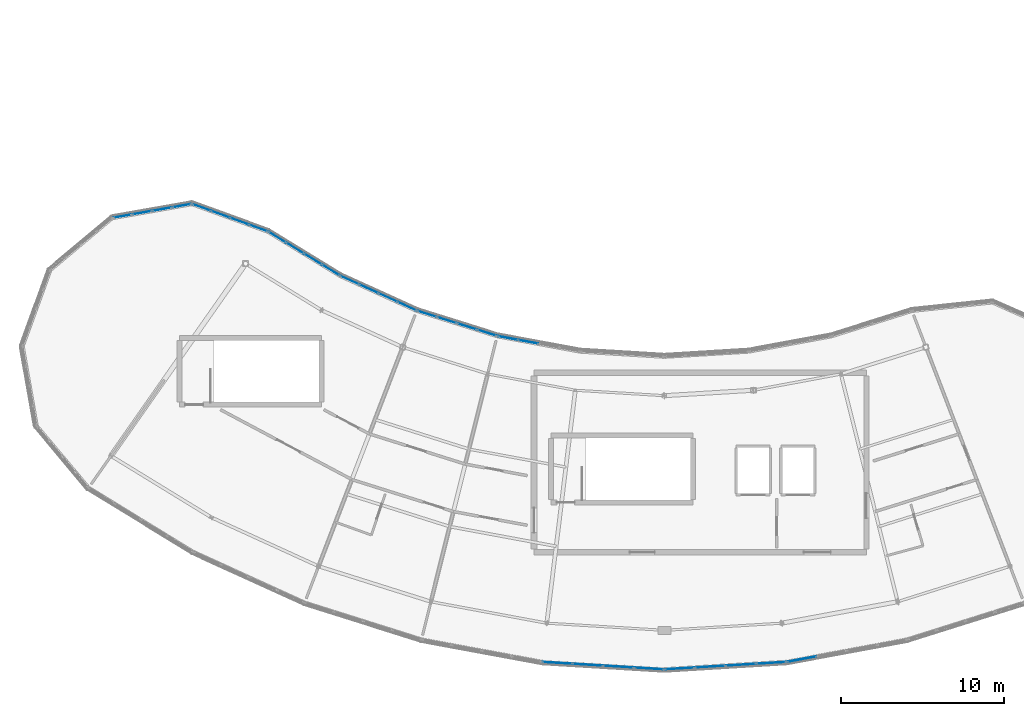
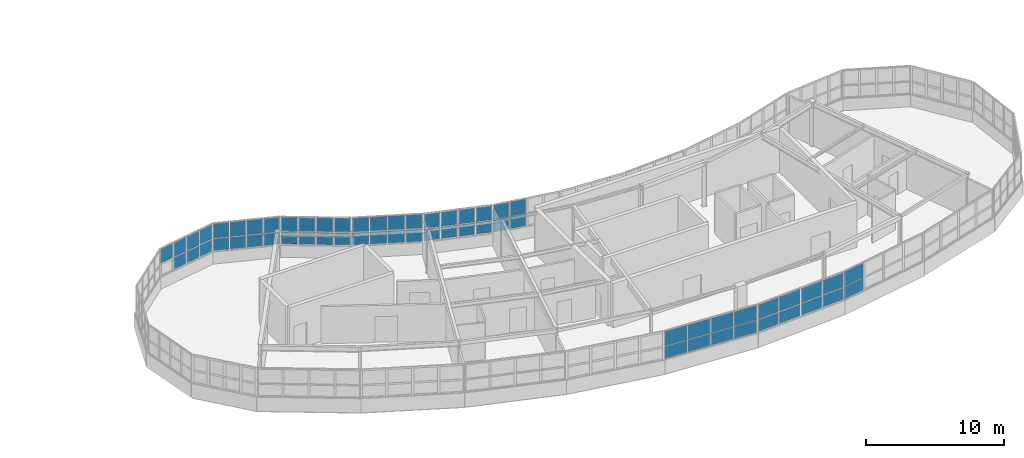
# One storey, part 38 of 60: 61 plates, 9 elements without a shape of their own.
"""IFC4 building model written with IfcOpenShell, lengths in metres."""

from ifc_helpers import new_model, si_unit, direction, frame, origin, origin_2d, place, context, subcontext, project, spatial, rectangle, extrude, material, layer, layer_set, type_object, element, aggregate, save


model = new_model("IFC4")

# Units and contexts
model_context = context("Model", 3, precision=1e-05, world=origin(), true_north=direction((0.0, 1.0)))
body_context = subcontext(model_context, "Body", "Model", "MODEL_VIEW")
ifc_project = project(units=[si_unit("LENGTHUNIT", "METRE"), si_unit("AREAUNIT", "SQUARE_METRE"), si_unit("VOLUMEUNIT", "CUBIC_METRE"), si_unit("PLANEANGLEUNIT", "RADIAN"), si_unit("MASSUNIT", "GRAM", prefix="KILO")], contexts=[model_context])

# Site, building, storey
site_placement = place(None, origin())
site = spatial("IfcSite", under=ifc_project, at=site_placement, CompositionType="ELEMENT")
building_placement = place(site_placement, origin())
building = spatial("IfcBuilding", under=site, at=building_placement, Name="Tarnwether General Hospital", CompositionType="ELEMENT")
storey_placement = place(building_placement, frame((0.0, 0.0, 26.10009765625)))
storey = spatial("IfcBuildingStorey", under=building, at=storey_placement, Name="L06", CompositionType="ELEMENT", Elevation=26.10009765625)

# Curtain wall, plates
ifc_material_1 = material(Name="Anodised aluminium", Category="aluminium")
ifc_layer_1 = layer(ifc_material_1, 0.179931640625)
ifc_layer_set_1 = layer_set([ifc_layer_1], Name="Anodised aluminium")
curtain_wall_type_1 = type_object("IfcCurtainWallType", Name="CW-11", PredefinedType="NOTDEFINED", material=ifc_layer_set_1)
curtain_wall_1_placement = place(storey_placement, origin())
curtain_wall_1 = element("IfcCurtainWall", 1, at=curtain_wall_1_placement, inside=storey, type_object=curtain_wall_type_1, Name="Curtain Wall CWG-L06-920_14-0249", PredefinedType="NOTDEFINED")
ifc_material_2 = material(Name="Double glazed low-E glass", Category="glass")
ifc_layer_2 = layer(ifc_material_2, 0.028076171875)
ifc_layer_set_2 = layer_set([ifc_layer_2], Name="Double glazed low-E glass")
plate_type_1 = type_object("IfcPlateType", Name="PT-CWP1", PredefinedType="CURTAIN_PANEL", material=ifc_layer_set_2)
plate_1_placement = place(storey_placement, frame((91.046630859375, 1.458251953125, 1.10986328125), z_axis=(0.0, 0.0, 1.0), x_axis=(-0.998135995608, 0.061028962567, 0.0)))
plate_1 = element("IfcPlate", 2, at=plate_1_placement, type_object=plate_type_1, Name="CW-11 panel 1.1", PredefinedType="CURTAIN_PANEL", context=body_context, shape_type="SweptSolid", body=[
    extrude(rectangle(XDim=1.790283203125, YDim=0.028076171875, at=origin_2d()), origin(), (0.0, 0.0, 1.0), 1.03271484375),
])
plate_2_placement = place(storey_placement, frame((91.046630859375, 1.458251953125, 2.20263671875), z_axis=(0.0, 0.0, 1.0), x_axis=(-0.998135995608, 0.061028962567, 0.0)))
plate_2 = element("IfcPlate", 3, at=plate_2_placement, type_object=plate_type_1, Name="CW-11 panel 1.2", PredefinedType="CURTAIN_PANEL", context=body_context, shape_type="SweptSolid", body=[
    extrude(rectangle(XDim=1.790283203125, YDim=0.028076171875, at=origin_2d()), origin(), (0.0, 0.0, 1.0), 1.2822265625),
])
plate_3_placement = place(storey_placement, frame((89.184814453125, 1.572021484375, 1.10986328125), z_axis=(0.0, 0.0, 1.0), x_axis=(-0.998135995608, 0.061028962567, 0.0)))
plate_3 = element("IfcPlate", 4, at=plate_3_placement, type_object=plate_type_1, Name="CW-11 panel 2.1", PredefinedType="CURTAIN_PANEL", context=body_context, shape_type="SweptSolid", body=[
    extrude(rectangle(XDim=1.8203125, YDim=0.028076171875, at=origin_2d()), origin(), (0.0, 0.0, 1.0), 1.03271484375),
])
plate_4_placement = place(storey_placement, frame((89.184814453125, 1.572021484375, 2.20263671875), z_axis=(0.0, 0.0, 1.0), x_axis=(-0.998135995608, 0.061028962567, 0.0)))
plate_4 = element("IfcPlate", 5, at=plate_4_placement, type_object=plate_type_1, Name="CW-11 panel 2.2", PredefinedType="CURTAIN_PANEL", context=body_context, shape_type="SweptSolid", body=[
    extrude(rectangle(XDim=1.8203125, YDim=0.028076171875, at=origin_2d()), origin(), (0.0, 0.0, 1.0), 1.2822265625),
])
plate_5_placement = place(storey_placement, frame((87.30810546875, 1.686767578125, 1.10986328125), z_axis=(0.0, 0.0, 1.0), x_axis=(-0.998135995608, 0.061028962567, 0.0)))
plate_5 = element("IfcPlate", 6, at=plate_5_placement, type_object=plate_type_1, Name="CW-11 panel 3.1", PredefinedType="CURTAIN_PANEL", context=body_context, shape_type="SweptSolid", body=[
    extrude(rectangle(XDim=1.8203125, YDim=0.028076171875, at=origin_2d()), origin(), (0.0, 0.0, 1.0), 1.03271484375),
])
plate_6_placement = place(storey_placement, frame((87.30810546875, 1.686767578125, 2.20263671875), z_axis=(0.0, 0.0, 1.0), x_axis=(-0.998135995608, 0.061028962567, 0.0)))
plate_6 = element("IfcPlate", 7, at=plate_6_placement, type_object=plate_type_1, Name="CW-11 panel 3.2", PredefinedType="CURTAIN_PANEL", context=body_context, shape_type="SweptSolid", body=[
    extrude(rectangle(XDim=1.8203125, YDim=0.028076171875, at=origin_2d()), origin(), (0.0, 0.0, 1.0), 1.2822265625),
])
plate_7_placement = place(storey_placement, frame((85.4462890625, 1.80078125, 1.10986328125), z_axis=(0.0, 0.0, 1.0), x_axis=(-0.998135995608, 0.061028962567, 0.0)))
plate_7 = element("IfcPlate", 8, at=plate_7_placement, type_object=plate_type_1, Name="CW-11 panel 4.1", PredefinedType="CURTAIN_PANEL", context=body_context, shape_type="SweptSolid", body=[
    extrude(rectangle(XDim=1.790283203125, YDim=0.028076171875, at=origin_2d()), origin(), (0.0, 0.0, 1.0), 1.03271484375),
])
plate_8_placement = place(storey_placement, frame((85.4462890625, 1.80078125, 2.20263671875), z_axis=(0.0, 0.0, 1.0), x_axis=(-0.998135995608, 0.061028962567, 0.0)))
plate_8 = element("IfcPlate", 9, at=plate_8_placement, type_object=plate_type_1, Name="CW-11 panel 4.2", PredefinedType="CURTAIN_PANEL", context=body_context, shape_type="SweptSolid", body=[
    extrude(rectangle(XDim=1.790283203125, YDim=0.028076171875, at=origin_2d()), origin(), (0.0, 0.0, 1.0), 1.2822265625),
])
aggregate(curtain_wall_1, [plate_1, plate_2, plate_3, plate_4, plate_5, plate_6, plate_7, plate_8])

curtain_wall_2_placement = place(storey_placement, origin())
curtain_wall_2 = element("IfcCurtainWall", 10, at=curtain_wall_2_placement, inside=storey, type_object=curtain_wall_type_1, Name="Curtain Wall CWG-L06-995_19-0250", PredefinedType="NOTDEFINED")
plate_9_placement = place(storey_placement, frame((98.55126953125, 1.800537109375, 1.1201171875), z_axis=(0.0, 0.0, 1.0), x_axis=(-0.998135995608, -0.061028962567, 0.0)))
plate_9 = element("IfcPlate", 11, at=plate_9_placement, type_object=plate_type_1, Name="CW-11 panel 1.1", PredefinedType="CURTAIN_PANEL", context=body_context, shape_type="SweptSolid", body=[
    extrude(rectangle(XDim=1.775146484375, YDim=0.028076171875, at=origin_2d()), origin(), (0.0, 0.0, 1.0), 1.017822265625),
])
plate_10_placement = place(storey_placement, frame((98.55126953125, 1.800537109375, 2.207763671875), z_axis=(0.0, 0.0, 1.0), x_axis=(-0.998135995608, -0.061028962567, 0.0)))
plate_10 = element("IfcPlate", 12, at=plate_10_placement, type_object=plate_type_1, Name="CW-11 panel 1.2", PredefinedType="CURTAIN_PANEL", context=body_context, shape_type="SweptSolid", body=[
    extrude(rectangle(XDim=1.775146484375, YDim=0.028076171875, at=origin_2d()), origin(), (0.0, 0.0, 1.0), 1.26708984375),
])
plate_11_placement = place(storey_placement, frame((96.69189453125, 1.686767578125, 1.1201171875), z_axis=(0.0, 0.0, 1.0), x_axis=(-0.998135995608, -0.061028962567, 0.0)))
plate_11 = element("IfcPlate", 13, at=plate_11_placement, type_object=plate_type_1, Name="CW-11 panel 2.1", PredefinedType="CURTAIN_PANEL", context=body_context, shape_type="SweptSolid", body=[
    extrude(rectangle(XDim=1.810302734375, YDim=0.028076171875, at=origin_2d()), origin(), (0.0, 0.0, 1.0), 1.017822265625),
])
plate_12_placement = place(storey_placement, frame((96.69189453125, 1.686767578125, 2.207763671875), z_axis=(0.0, 0.0, 1.0), x_axis=(-0.998135995608, -0.061028962567, 0.0)))
plate_12 = element("IfcPlate", 14, at=plate_12_placement, type_object=plate_type_1, Name="CW-11 panel 2.2", PredefinedType="CURTAIN_PANEL", context=body_context, shape_type="SweptSolid", body=[
    extrude(rectangle(XDim=1.810302734375, YDim=0.028076171875, at=origin_2d()), origin(), (0.0, 0.0, 1.0), 1.26708984375),
])
plate_13_placement = place(storey_placement, frame((94.815185546875, 1.572021484375, 1.1201171875), z_axis=(0.0, 0.0, 1.0), x_axis=(-0.998135995608, -0.061028962567, 0.0)))
plate_13 = element("IfcPlate", 15, at=plate_13_placement, type_object=plate_type_1, Name="CW-11 panel 3.1", PredefinedType="CURTAIN_PANEL", context=body_context, shape_type="SweptSolid", body=[
    extrude(rectangle(XDim=1.810302734375, YDim=0.028076171875, at=origin_2d()), origin(), (0.0, 0.0, 1.0), 1.017822265625),
])
plate_14_placement = place(storey_placement, frame((94.815185546875, 1.572021484375, 2.207763671875), z_axis=(0.0, 0.0, 1.0), x_axis=(-0.998135995608, -0.061028962567, 0.0)))
plate_14 = element("IfcPlate", 16, at=plate_14_placement, type_object=plate_type_1, Name="CW-11 panel 3.2", PredefinedType="CURTAIN_PANEL", context=body_context, shape_type="SweptSolid", body=[
    extrude(rectangle(XDim=1.810302734375, YDim=0.028076171875, at=origin_2d()), origin(), (0.0, 0.0, 1.0), 1.26708984375),
])
plate_15_placement = place(storey_placement, frame((92.955810546875, 1.45849609375, 1.1201171875), z_axis=(0.0, 0.0, 1.0), x_axis=(-0.998135995608, -0.061028962567, 0.0)))
plate_15 = element("IfcPlate", 17, at=plate_15_placement, type_object=plate_type_1, Name="CW-11 panel 4.1", PredefinedType="CURTAIN_PANEL", context=body_context, shape_type="SweptSolid", body=[
    extrude(rectangle(XDim=1.775146484375, YDim=0.028076171875, at=origin_2d()), origin(), (0.0, 0.0, 1.0), 1.017822265625),
])
plate_16_placement = place(storey_placement, frame((92.955810546875, 1.45849609375, 2.207763671875), z_axis=(0.0, 0.0, 1.0), x_axis=(-0.998135995608, -0.061028962567, 0.0)))
plate_16 = element("IfcPlate", 18, at=plate_16_placement, type_object=plate_type_1, Name="CW-11 panel 4.2", PredefinedType="CURTAIN_PANEL", context=body_context, shape_type="SweptSolid", body=[
    extrude(rectangle(XDim=1.775146484375, YDim=0.028076171875, at=origin_2d()), origin(), (0.0, 0.0, 1.0), 1.26708984375),
])
aggregate(curtain_wall_2, [plate_9, plate_10, plate_11, plate_12, plate_13, plate_14, plate_15, plate_16])

ifc_material_3 = material(Name="Anodised aluminium", Category="aluminium")
ifc_layer_3 = layer(ifc_material_3, 0.159912109375)
ifc_layer_set_3 = layer_set([ifc_layer_3], Name="Anodised aluminium")
curtain_wall_type_2 = type_object("IfcCurtainWallType", Name="CW-03", PredefinedType="NOTDEFINED", material=ifc_layer_set_3)
curtain_wall_3_placement = place(storey_placement, origin())
curtain_wall_3 = element("IfcCurtainWall", 19, at=curtain_wall_3_placement, inside=storey, type_object=curtain_wall_type_2, Name="Curtain Wall CWG-L06-768_234-0264", PredefinedType="NOTDEFINED")
plate_17_placement = place(storey_placement, frame((77.44140625, 23.21533203125, 1.1298828125), z_axis=(0.0, 0.0, 1.0), x_axis=(0.953713927508, -0.30071538783, 0.0)))
plate_17 = element("IfcPlate", 20, at=plate_17_placement, type_object=plate_type_1, Name="CW-03 panel 1.1", PredefinedType="CURTAIN_PANEL", context=body_context, shape_type="SweptSolid", body=[
    extrude(rectangle(XDim=1.17431640625, YDim=0.028076171875, at=origin_2d()), origin(), (0.0, 0.0, 1.0), 1.002685546875),
])
plate_18_placement = place(storey_placement, frame((77.44140625, 23.21533203125, 2.212890625), z_axis=(0.0, 0.0, 1.0), x_axis=(0.953713927508, -0.30071538783, 0.0)))
plate_18 = element("IfcPlate", 21, at=plate_18_placement, type_object=plate_type_1, Name="CW-03 panel 1.2", PredefinedType="CURTAIN_PANEL", context=body_context, shape_type="SweptSolid", body=[
    extrude(rectangle(XDim=1.17431640625, YDim=0.028076171875, at=origin_2d()), origin(), (0.0, 0.0, 1.0), 1.252197265625),
])
plate_19_placement = place(storey_placement, frame((78.65673828125, 22.83203125, 1.1298828125), z_axis=(0.0, 0.0, 1.0), x_axis=(0.953713927508, -0.30071538783, 0.0)))
plate_19 = element("IfcPlate", 22, at=plate_19_placement, type_object=plate_type_1, Name="CW-03 panel 2.1", PredefinedType="CURTAIN_PANEL", context=body_context, shape_type="SweptSolid", body=[
    extrude(rectangle(XDim=1.21435546875, YDim=0.028076171875, at=origin_2d()), origin(), (0.0, 0.0, 1.0), 1.002685546875),
])
plate_20_placement = place(storey_placement, frame((78.65673828125, 22.83203125, 2.212890625), z_axis=(0.0, 0.0, 1.0), x_axis=(0.953713927508, -0.30071538783, 0.0)))
plate_20 = element("IfcPlate", 23, at=plate_20_placement, type_object=plate_type_1, Name="CW-03 panel 2.2", PredefinedType="CURTAIN_PANEL", context=body_context, shape_type="SweptSolid", body=[
    extrude(rectangle(XDim=1.21435546875, YDim=0.028076171875, at=origin_2d()), origin(), (0.0, 0.0, 1.0), 1.252197265625),
])
plate_21_placement = place(storey_placement, frame((79.891357421875, 22.44287109375, 1.1298828125), z_axis=(0.0, 0.0, 1.0), x_axis=(0.953713927508, -0.30071538783, 0.0)))
plate_21 = element("IfcPlate", 24, at=plate_21_placement, type_object=plate_type_1, Name="CW-03 panel 3.1", PredefinedType="CURTAIN_PANEL", context=body_context, shape_type="SweptSolid", body=[
    extrude(rectangle(XDim=1.21435546875, YDim=0.028076171875, at=origin_2d()), origin(), (0.0, 0.0, 1.0), 1.002685546875),
])
plate_22_placement = place(storey_placement, frame((79.891357421875, 22.44287109375, 2.212890625), z_axis=(0.0, 0.0, 1.0), x_axis=(0.953713927508, -0.30071538783, 0.0)))
plate_22 = element("IfcPlate", 25, at=plate_22_placement, type_object=plate_type_1, Name="CW-03 panel 3.2", PredefinedType="CURTAIN_PANEL", context=body_context, shape_type="SweptSolid", body=[
    extrude(rectangle(XDim=1.21435546875, YDim=0.028076171875, at=origin_2d()), origin(), (0.0, 0.0, 1.0), 1.252197265625),
])
plate_23_placement = place(storey_placement, frame((81.106689453125, 22.0595703125, 1.1298828125), z_axis=(0.0, 0.0, 1.0), x_axis=(0.953713927508, -0.30071538783, 0.0)))
plate_23 = element("IfcPlate", 26, at=plate_23_placement, type_object=plate_type_1, Name="CW-03 panel 4.1", PredefinedType="CURTAIN_PANEL", context=body_context, shape_type="SweptSolid", body=[
    extrude(rectangle(XDim=1.17431640625, YDim=0.028076171875, at=origin_2d()), origin(), (0.0, 0.0, 1.0), 1.002685546875),
])
plate_24_placement = place(storey_placement, frame((81.106689453125, 22.0595703125, 2.212890625), z_axis=(0.0, 0.0, 1.0), x_axis=(0.953713927508, -0.30071538783, 0.0)))
plate_24 = element("IfcPlate", 27, at=plate_24_placement, type_object=plate_type_1, Name="CW-03 panel 4.2", PredefinedType="CURTAIN_PANEL", context=body_context, shape_type="SweptSolid", body=[
    extrude(rectangle(XDim=1.17431640625, YDim=0.028076171875, at=origin_2d()), origin(), (0.0, 0.0, 1.0), 1.252197265625),
])
aggregate(curtain_wall_3, [plate_17, plate_18, plate_19, plate_20, plate_21, plate_22, plate_23, plate_24])

curtain_wall_4_placement = place(storey_placement, origin())
curtain_wall_4 = element("IfcCurtainWall", 28, at=curtain_wall_4_placement, inside=storey, type_object=curtain_wall_type_2, Name="Curtain Wall CWG-L06-721_256-0265", PredefinedType="NOTDEFINED")
plate_25_placement = place(storey_placement, frame((72.696533203125, 25.288330078125, 1.10986328125), z_axis=(0.0, 0.0, 1.0), x_axis=(0.90995590549, -0.41470501572, 0.0)))
plate_25 = element("IfcPlate", 29, at=plate_25_placement, type_object=plate_type_1, Name="CW-03 panel 1.1", PredefinedType="CURTAIN_PANEL", context=body_context, shape_type="SweptSolid", body=[
    extrude(rectangle(XDim=1.204345703125, YDim=0.028076171875, at=origin_2d()), origin(), (0.0, 0.0, 1.0), 1.03271484375),
])
plate_26_placement = place(storey_placement, frame((72.696533203125, 25.288330078125, 2.20263671875), z_axis=(0.0, 0.0, 1.0), x_axis=(0.90995590549, -0.41470501572, 0.0)))
plate_26 = element("IfcPlate", 30, at=plate_26_placement, type_object=plate_type_1, Name="CW-03 panel 1.2", PredefinedType="CURTAIN_PANEL", context=body_context, shape_type="SweptSolid", body=[
    extrude(rectangle(XDim=1.204345703125, YDim=0.028076171875, at=origin_2d()), origin(), (0.0, 0.0, 1.0), 1.2822265625),
])
plate_27_placement = place(storey_placement, frame((73.860595703125, 24.7578125, 1.10986328125), z_axis=(0.0, 0.0, 1.0), x_axis=(0.90995590549, -0.41470501572, 0.0)))
plate_27 = element("IfcPlate", 31, at=plate_27_placement, type_object=plate_type_1, Name="CW-03 panel 2.1", PredefinedType="CURTAIN_PANEL", context=body_context, shape_type="SweptSolid", body=[
    extrude(rectangle(XDim=1.234375, YDim=0.028076171875, at=origin_2d()), origin(), (0.0, 0.0, 1.0), 1.03271484375),
])
plate_28_placement = place(storey_placement, frame((73.860595703125, 24.7578125, 2.20263671875), z_axis=(0.0, 0.0, 1.0), x_axis=(0.90995590549, -0.41470501572, 0.0)))
plate_28 = element("IfcPlate", 32, at=plate_28_placement, type_object=plate_type_1, Name="CW-03 panel 2.2", PredefinedType="CURTAIN_PANEL", context=body_context, shape_type="SweptSolid", body=[
    extrude(rectangle(XDim=1.234375, YDim=0.028076171875, at=origin_2d()), origin(), (0.0, 0.0, 1.0), 1.2822265625),
])
plate_29_placement = place(storey_placement, frame((75.038330078125, 24.22119140625, 1.10986328125), z_axis=(0.0, 0.0, 1.0), x_axis=(0.90995590549, -0.41470501572, 0.0)))
plate_29 = element("IfcPlate", 33, at=plate_29_placement, type_object=plate_type_1, Name="CW-03 panel 3.1", PredefinedType="CURTAIN_PANEL", context=body_context, shape_type="SweptSolid", body=[
    extrude(rectangle(XDim=1.234375, YDim=0.028076171875, at=origin_2d()), origin(), (0.0, 0.0, 1.0), 1.03271484375),
])
plate_30_placement = place(storey_placement, frame((75.038330078125, 24.22119140625, 2.20263671875), z_axis=(0.0, 0.0, 1.0), x_axis=(0.90995590549, -0.41470501572, 0.0)))
plate_30 = element("IfcPlate", 34, at=plate_30_placement, type_object=plate_type_1, Name="CW-03 panel 3.2", PredefinedType="CURTAIN_PANEL", context=body_context, shape_type="SweptSolid", body=[
    extrude(rectangle(XDim=1.234375, YDim=0.028076171875, at=origin_2d()), origin(), (0.0, 0.0, 1.0), 1.2822265625),
])
plate_31_placement = place(storey_placement, frame((76.202392578125, 23.690673828125, 1.10986328125), z_axis=(0.0, 0.0, 1.0), x_axis=(0.90995590549, -0.41470501572, 0.0)))
plate_31 = element("IfcPlate", 35, at=plate_31_placement, type_object=plate_type_1, Name="CW-03 panel 4.1", PredefinedType="CURTAIN_PANEL", context=body_context, shape_type="SweptSolid", body=[
    extrude(rectangle(XDim=1.204345703125, YDim=0.028076171875, at=origin_2d()), origin(), (0.0, 0.0, 1.0), 1.03271484375),
])
plate_32_placement = place(storey_placement, frame((76.202392578125, 23.690673828125, 2.20263671875), z_axis=(0.0, 0.0, 1.0), x_axis=(0.90995590549, -0.41470501572, 0.0)))
plate_32 = element("IfcPlate", 36, at=plate_32_placement, type_object=plate_type_1, Name="CW-03 panel 4.2", PredefinedType="CURTAIN_PANEL", context=body_context, shape_type="SweptSolid", body=[
    extrude(rectangle(XDim=1.204345703125, YDim=0.028076171875, at=origin_2d()), origin(), (0.0, 0.0, 1.0), 1.2822265625),
])
aggregate(curtain_wall_4, [plate_25, plate_26, plate_27, plate_28, plate_29, plate_30, plate_31, plate_32])

curtain_wall_5_placement = place(storey_placement, origin())
curtain_wall_5 = element("IfcCurtainWall", 37, at=curtain_wall_5_placement, inside=storey, type_object=curtain_wall_type_2, Name="Curtain Wall CWG-L06-630_300-0267", PredefinedType="NOTDEFINED")
plate_33_placement = place(storey_placement, frame((63.60986328125, 29.75, 1.11474609375), z_axis=(0.0, 0.0, 1.0), x_axis=(0.939652319163, -0.342130850834, 0.0)))
plate_33 = element("IfcPlate", 38, at=plate_33_placement, type_object=plate_type_1, Name="CW-03 panel 1.1", PredefinedType="CURTAIN_PANEL", context=body_context, shape_type="SweptSolid", body=[
    extrude(rectangle(XDim=1.144775390625, YDim=0.028076171875, at=origin_2d()), origin(), (0.0, 0.0, 1.0), 1.025390625),
])
plate_34_placement = place(storey_placement, frame((63.60986328125, 29.75, 2.205078125), z_axis=(0.0, 0.0, 1.0), x_axis=(0.939652319163, -0.342130850834, 0.0)))
plate_34 = element("IfcPlate", 39, at=plate_34_placement, type_object=plate_type_1, Name="CW-03 panel 1.2", PredefinedType="CURTAIN_PANEL", context=body_context, shape_type="SweptSolid", body=[
    extrude(rectangle(XDim=1.144775390625, YDim=0.028076171875, at=origin_2d()), origin(), (0.0, 0.0, 1.0), 1.274658203125),
])
plate_35_placement = place(storey_placement, frame((64.761962890625, 29.33056640625, 1.11474609375), z_axis=(0.0, 0.0, 1.0), x_axis=(0.939652319163, -0.342130850834, 0.0)))
plate_35 = element("IfcPlate", 40, at=plate_35_placement, type_object=plate_type_1, Name="CW-03 panel 2.1", PredefinedType="CURTAIN_PANEL", context=body_context, shape_type="SweptSolid", body=[
    extrude(rectangle(XDim=1.17724609375, YDim=0.028076171875, at=origin_2d()), origin(), (0.0, 0.0, 1.0), 1.025390625),
])
plate_36_placement = place(storey_placement, frame((64.761962890625, 29.33056640625, 2.205078125), z_axis=(0.0, 0.0, 1.0), x_axis=(0.939652319163, -0.342130850834, 0.0)))
plate_36 = element("IfcPlate", 41, at=plate_36_placement, type_object=plate_type_1, Name="CW-03 panel 2.2", PredefinedType="CURTAIN_PANEL", context=body_context, shape_type="SweptSolid", body=[
    extrude(rectangle(XDim=1.17724609375, YDim=0.028076171875, at=origin_2d()), origin(), (0.0, 0.0, 1.0), 1.274658203125),
])
plate_37_placement = place(storey_placement, frame((65.92919921875, 28.905517578125, 1.11474609375), z_axis=(0.0, 0.0, 1.0), x_axis=(0.939652319163, -0.342130850834, 0.0)))
plate_37 = element("IfcPlate", 42, at=plate_37_placement, type_object=plate_type_1, Name="CW-03 panel 3.1", PredefinedType="CURTAIN_PANEL", context=body_context, shape_type="SweptSolid", body=[
    extrude(rectangle(XDim=1.17724609375, YDim=0.028076171875, at=origin_2d()), origin(), (0.0, 0.0, 1.0), 1.025390625),
])
plate_38_placement = place(storey_placement, frame((65.92919921875, 28.905517578125, 2.205078125), z_axis=(0.0, 0.0, 1.0), x_axis=(0.939652319163, -0.342130850834, 0.0)))
plate_38 = element("IfcPlate", 43, at=plate_38_placement, type_object=plate_type_1, Name="CW-03 panel 3.2", PredefinedType="CURTAIN_PANEL", context=body_context, shape_type="SweptSolid", body=[
    extrude(rectangle(XDim=1.17724609375, YDim=0.028076171875, at=origin_2d()), origin(), (0.0, 0.0, 1.0), 1.274658203125),
])
plate_39_placement = place(storey_placement, frame((67.0810546875, 28.486083984375, 1.11474609375), z_axis=(0.0, 0.0, 1.0), x_axis=(0.939652319163, -0.342130850834, 0.0)))
plate_39 = element("IfcPlate", 44, at=plate_39_placement, type_object=plate_type_1, Name="CW-03 panel 4.1", PredefinedType="CURTAIN_PANEL", context=body_context, shape_type="SweptSolid", body=[
    extrude(rectangle(XDim=1.144775390625, YDim=0.028076171875, at=origin_2d()), origin(), (0.0, 0.0, 1.0), 1.025390625),
])
plate_40_placement = place(storey_placement, frame((67.0810546875, 28.486083984375, 2.205078125), z_axis=(0.0, 0.0, 1.0), x_axis=(0.939652319163, -0.342130850834, 0.0)))
plate_40 = element("IfcPlate", 45, at=plate_40_placement, type_object=plate_type_1, Name="CW-03 panel 4.2", PredefinedType="CURTAIN_PANEL", context=body_context, shape_type="SweptSolid", body=[
    extrude(rectangle(XDim=1.144775390625, YDim=0.028076171875, at=origin_2d()), origin(), (0.0, 0.0, 1.0), 1.274658203125),
])
aggregate(curtain_wall_5, [plate_33, plate_34, plate_35, plate_36, plate_37, plate_38, plate_39, plate_40])

curtain_wall_6_placement = place(storey_placement, origin())
curtain_wall_6 = element("IfcCurtainWall", 46, at=curtain_wall_6_placement, inside=storey, type_object=curtain_wall_type_2, Name="Curtain Wall CWG-L06-581_291-0268", PredefinedType="NOTDEFINED")
plate_41_placement = place(storey_placement, frame((58.74853515625, 29.21630859375, 2.212890625), z_axis=(0.0, 0.0, 1.0), x_axis=(0.984805834268, 0.173659059054, 0.0)))
plate_41 = element("IfcPlate", 47, at=plate_41_placement, type_object=plate_type_1, Name="CW-03 panel 1.2", PredefinedType="CURTAIN_PANEL", context=body_context, shape_type="SweptSolid", body=[
    extrude(rectangle(XDim=1.122314453125, YDim=0.028076171875, at=origin_2d()), origin(), (0.0, 0.0, 1.0), 1.252197265625),
])
plate_42_placement = place(storey_placement, frame((59.9521484375, 29.4287109375, 1.1298828125), z_axis=(0.0, 0.0, 1.0), x_axis=(0.984805834268, 0.173659059054, 0.0)))
plate_42 = element("IfcPlate", 48, at=plate_42_placement, type_object=plate_type_1, Name="CW-03 panel 2.1", PredefinedType="CURTAIN_PANEL", context=body_context, shape_type="SweptSolid", body=[
    extrude(rectangle(XDim=1.162353515625, YDim=0.028076171875, at=origin_2d()), origin(), (0.0, 0.0, 1.0), 1.002685546875),
])
plate_43_placement = place(storey_placement, frame((59.9521484375, 29.4287109375, 2.212890625), z_axis=(0.0, 0.0, 1.0), x_axis=(0.984805834268, 0.173659059054, 0.0)))
plate_43 = element("IfcPlate", 49, at=plate_43_placement, type_object=plate_type_1, Name="CW-03 panel 2.2", PredefinedType="CURTAIN_PANEL", context=body_context, shape_type="SweptSolid", body=[
    extrude(rectangle(XDim=1.162353515625, YDim=0.028076171875, at=origin_2d()), origin(), (0.0, 0.0, 1.0), 1.252197265625),
])
plate_44_placement = place(storey_placement, frame((61.17578125, 29.644287109375, 1.1298828125), z_axis=(0.0, 0.0, 1.0), x_axis=(0.984805834268, 0.173659059054, 0.0)))
plate_44 = element("IfcPlate", 50, at=plate_44_placement, type_object=plate_type_1, Name="CW-03 panel 3.1", PredefinedType="CURTAIN_PANEL", context=body_context, shape_type="SweptSolid", body=[
    extrude(rectangle(XDim=1.162353515625, YDim=0.028076171875, at=origin_2d()), origin(), (0.0, 0.0, 1.0), 1.002685546875),
])
plate_45_placement = place(storey_placement, frame((61.17578125, 29.644287109375, 2.212890625), z_axis=(0.0, 0.0, 1.0), x_axis=(0.984805834268, 0.173659059054, 0.0)))
plate_45 = element("IfcPlate", 51, at=plate_45_placement, type_object=plate_type_1, Name="CW-03 panel 3.2", PredefinedType="CURTAIN_PANEL", context=body_context, shape_type="SweptSolid", body=[
    extrude(rectangle(XDim=1.162353515625, YDim=0.028076171875, at=origin_2d()), origin(), (0.0, 0.0, 1.0), 1.252197265625),
])
plate_46_placement = place(storey_placement, frame((62.379638671875, 29.856689453125, 1.1298828125), z_axis=(0.0, 0.0, 1.0), x_axis=(0.984805834268, 0.173659059054, 0.0)))
plate_46 = element("IfcPlate", 52, at=plate_46_placement, type_object=plate_type_1, Name="CW-03 panel 4.1", PredefinedType="CURTAIN_PANEL", context=body_context, shape_type="SweptSolid", body=[
    extrude(rectangle(XDim=1.122314453125, YDim=0.028076171875, at=origin_2d()), origin(), (0.0, 0.0, 1.0), 1.002685546875),
])
plate_47_placement = place(storey_placement, frame((62.379638671875, 29.856689453125, 2.212890625), z_axis=(0.0, 0.0, 1.0), x_axis=(0.984805834268, 0.173659059054, 0.0)))
plate_47 = element("IfcPlate", 53, at=plate_47_placement, type_object=plate_type_1, Name="CW-03 panel 4.2", PredefinedType="CURTAIN_PANEL", context=body_context, shape_type="SweptSolid", body=[
    extrude(rectangle(XDim=1.122314453125, YDim=0.028076171875, at=origin_2d()), origin(), (0.0, 0.0, 1.0), 1.252197265625),
])
aggregate(curtain_wall_6, [plate_41, plate_42, plate_43, plate_44, plate_45, plate_46, plate_47])

curtain_wall_7_placement = place(storey_placement, origin())
curtain_wall_7 = element("IfcCurtainWall", 54, at=curtain_wall_7_placement, inside=storey, type_object=curtain_wall_type_1, Name="Curtain Wall CWG-L06-1069_32-0251", PredefinedType="NOTDEFINED")
ifc_material_4 = material(Name="Double glazed low-E glass", Category="glass")
ifc_layer_4 = layer(ifc_material_4, 0.035888671875)
ifc_layer_set_4 = layer_set([ifc_layer_4], Name="Double glazed low-E glass")
plate_type_2 = type_object("IfcPlateType", Name="PT-CWP2", PredefinedType="CURTAIN_PANEL", material=ifc_layer_set_4)
plate_48_placement = place(storey_placement, frame((100.447265625, 2.033447265625, 1.11474609375), z_axis=(0.0, 0.0, 1.0), x_axis=(-0.983244953132, -0.182289226614, 0.0)))
plate_48 = element("IfcPlate", 55, at=plate_48_placement, type_object=plate_type_2, Name="CW-11 panel 4.1", PredefinedType="CURTAIN_PANEL", context=body_context, shape_type="SweptSolid", body=[
    extrude(rectangle(XDim=1.78271484375, YDim=0.035888671875, at=origin_2d()), origin(), (0.0, 0.0, 1.0), 1.025390625),
])
plate_49_placement = place(storey_placement, frame((100.447265625, 2.033447265625, 2.205078125), z_axis=(0.0, 0.0, 1.0), x_axis=(-0.983244953132, -0.182289226614, 0.0)))
plate_49 = element("IfcPlate", 56, at=plate_49_placement, type_object=plate_type_2, Name="CW-11 panel 4.2", PredefinedType="CURTAIN_PANEL", context=body_context, shape_type="SweptSolid", body=[
    extrude(rectangle(XDim=1.78271484375, YDim=0.035888671875, at=origin_2d()), origin(), (0.0, 0.0, 1.0), 1.274658203125),
])
aggregate(curtain_wall_7, [plate_48, plate_49])

curtain_wall_8_placement = place(storey_placement, origin())
curtain_wall_8 = element("IfcCurtainWall", 57, at=curtain_wall_8_placement, inside=storey, type_object=curtain_wall_type_2, Name="Curtain Wall CWG-L06-817_219-0263", PredefinedType="NOTDEFINED")
plate_50_placement = place(storey_placement, frame((82.395263671875, 21.73828125, 1.11474609375), z_axis=(0.0, 0.0, 1.0), x_axis=(0.983267910924, -0.182165351666, 0.0)))
plate_50 = element("IfcPlate", 58, at=plate_50_placement, type_object=plate_type_2, Name="CW-03 panel 1.1", PredefinedType="CURTAIN_PANEL", context=body_context, shape_type="SweptSolid", body=[
    extrude(rectangle(XDim=1.196533203125, YDim=0.035888671875, at=origin_2d()), origin(), (0.0, 0.0, 1.0), 1.025390625),
])
plate_51_placement = place(storey_placement, frame((82.395263671875, 21.73828125, 2.205078125), z_axis=(0.0, 0.0, 1.0), x_axis=(0.983267910924, -0.182165351666, 0.0)))
plate_51 = element("IfcPlate", 59, at=plate_51_placement, type_object=plate_type_2, Name="CW-03 panel 1.2", PredefinedType="CURTAIN_PANEL", context=body_context, shape_type="SweptSolid", body=[
    extrude(rectangle(XDim=1.196533203125, YDim=0.035888671875, at=origin_2d()), origin(), (0.0, 0.0, 1.0), 1.274658203125),
])
plate_52_placement = place(storey_placement, frame((83.65185546875, 21.50537109375, 1.11474609375), z_axis=(0.0, 0.0, 1.0), x_axis=(0.983267910924, -0.182165351666, 0.0)))
plate_52 = element("IfcPlate", 60, at=plate_52_placement, type_object=plate_type_2, Name="CW-03 panel 2.1", PredefinedType="CURTAIN_PANEL", context=body_context, shape_type="SweptSolid", body=[
    extrude(rectangle(XDim=1.229248046875, YDim=0.035888671875, at=origin_2d()), origin(), (0.0, 0.0, 1.0), 1.025390625),
])
plate_53_placement = place(storey_placement, frame((83.65185546875, 21.50537109375, 2.205078125), z_axis=(0.0, 0.0, 1.0), x_axis=(0.983267910924, -0.182165351666, 0.0)))
plate_53 = element("IfcPlate", 61, at=plate_53_placement, type_object=plate_type_2, Name="CW-03 panel 2.2", PredefinedType="CURTAIN_PANEL", context=body_context, shape_type="SweptSolid", body=[
    extrude(rectangle(XDim=1.229248046875, YDim=0.035888671875, at=origin_2d()), origin(), (0.0, 0.0, 1.0), 1.274658203125),
])
aggregate(curtain_wall_8, [plate_50, plate_51, plate_52, plate_53])

curtain_wall_9_placement = place(storey_placement, origin())
curtain_wall_9 = element("IfcCurtainWall", 62, at=curtain_wall_9_placement, inside=storey, type_object=curtain_wall_type_2, Name="Curtain Wall CWG-L06-677_283-0266", PredefinedType="NOTDEFINED")
plate_54_placement = place(storey_placement, frame((68.24658203125, 27.920654296875, 1.1201171875), z_axis=(0.0, 0.0, 1.0), x_axis=(0.852631789198, -0.522512231483, 0.0)))
plate_54 = element("IfcPlate", 63, at=plate_54_placement, type_object=plate_type_2, Name="CW-03 panel 1.1", PredefinedType="CURTAIN_PANEL", context=body_context, shape_type="SweptSolid", body=[
    extrude(rectangle(XDim=1.189208984375, YDim=0.035888671875, at=origin_2d()), origin(), (0.0, 0.0, 1.0), 1.017822265625),
])
plate_55_placement = place(storey_placement, frame((68.24658203125, 27.920654296875, 2.207763671875), z_axis=(0.0, 0.0, 1.0), x_axis=(0.852631789198, -0.522512231483, 0.0)))
plate_55 = element("IfcPlate", 64, at=plate_55_placement, type_object=plate_type_2, Name="CW-03 panel 1.2", PredefinedType="CURTAIN_PANEL", context=body_context, shape_type="SweptSolid", body=[
    extrude(rectangle(XDim=1.189208984375, YDim=0.035888671875, at=origin_2d()), origin(), (0.0, 0.0, 1.0), 1.26708984375),
])
plate_56_placement = place(storey_placement, frame((69.335205078125, 27.253662109375, 1.1201171875), z_axis=(0.0, 0.0, 1.0), x_axis=(0.852631789198, -0.522512231483, 0.0)))
plate_56 = element("IfcPlate", 65, at=plate_56_placement, type_object=plate_type_2, Name="CW-03 panel 2.1", PredefinedType="CURTAIN_PANEL", context=body_context, shape_type="SweptSolid", body=[
    extrude(rectangle(XDim=1.22412109375, YDim=0.035888671875, at=origin_2d()), origin(), (0.0, 0.0, 1.0), 1.017822265625),
])
plate_57_placement = place(storey_placement, frame((69.335205078125, 27.253662109375, 2.207763671875), z_axis=(0.0, 0.0, 1.0), x_axis=(0.852631789198, -0.522512231483, 0.0)))
plate_57 = element("IfcPlate", 66, at=plate_57_placement, type_object=plate_type_2, Name="CW-03 panel 2.2", PredefinedType="CURTAIN_PANEL", context=body_context, shape_type="SweptSolid", body=[
    extrude(rectangle(XDim=1.22412109375, YDim=0.035888671875, at=origin_2d()), origin(), (0.0, 0.0, 1.0), 1.26708984375),
])
plate_58_placement = place(storey_placement, frame((70.438720703125, 26.577392578125, 1.1201171875), z_axis=(0.0, 0.0, 1.0), x_axis=(0.852631789198, -0.522512231483, 0.0)))
plate_58 = element("IfcPlate", 67, at=plate_58_placement, type_object=plate_type_2, Name="CW-03 panel 3.1", PredefinedType="CURTAIN_PANEL", context=body_context, shape_type="SweptSolid", body=[
    extrude(rectangle(XDim=1.22412109375, YDim=0.035888671875, at=origin_2d()), origin(), (0.0, 0.0, 1.0), 1.017822265625),
])
plate_59_placement = place(storey_placement, frame((70.438720703125, 26.577392578125, 2.207763671875), z_axis=(0.0, 0.0, 1.0), x_axis=(0.852631789198, -0.522512231483, 0.0)))
plate_59 = element("IfcPlate", 68, at=plate_59_placement, type_object=plate_type_2, Name="CW-03 panel 3.2", PredefinedType="CURTAIN_PANEL", context=body_context, shape_type="SweptSolid", body=[
    extrude(rectangle(XDim=1.22412109375, YDim=0.035888671875, at=origin_2d()), origin(), (0.0, 0.0, 1.0), 1.26708984375),
])
plate_60_placement = place(storey_placement, frame((71.52734375, 25.91015625, 1.1201171875), z_axis=(0.0, 0.0, 1.0), x_axis=(0.852631789198, -0.522512231483, 0.0)))
plate_60 = element("IfcPlate", 69, at=plate_60_placement, type_object=plate_type_2, Name="CW-03 panel 4.1", PredefinedType="CURTAIN_PANEL", context=body_context, shape_type="SweptSolid", body=[
    extrude(rectangle(XDim=1.189208984375, YDim=0.035888671875, at=origin_2d()), origin(), (0.0, 0.0, 1.0), 1.017822265625),
])
plate_61_placement = place(storey_placement, frame((71.52734375, 25.91015625, 2.207763671875), z_axis=(0.0, 0.0, 1.0), x_axis=(0.852631789198, -0.522512231483, 0.0)))
plate_61 = element("IfcPlate", 70, at=plate_61_placement, type_object=plate_type_2, Name="CW-03 panel 4.2", PredefinedType="CURTAIN_PANEL", context=body_context, shape_type="SweptSolid", body=[
    extrude(rectangle(XDim=1.189208984375, YDim=0.035888671875, at=origin_2d()), origin(), (0.0, 0.0, 1.0), 1.26708984375),
])
aggregate(curtain_wall_9, [plate_54, plate_55, plate_56, plate_57, plate_58, plate_59, plate_60, plate_61])

save(model, "model.ifc")
